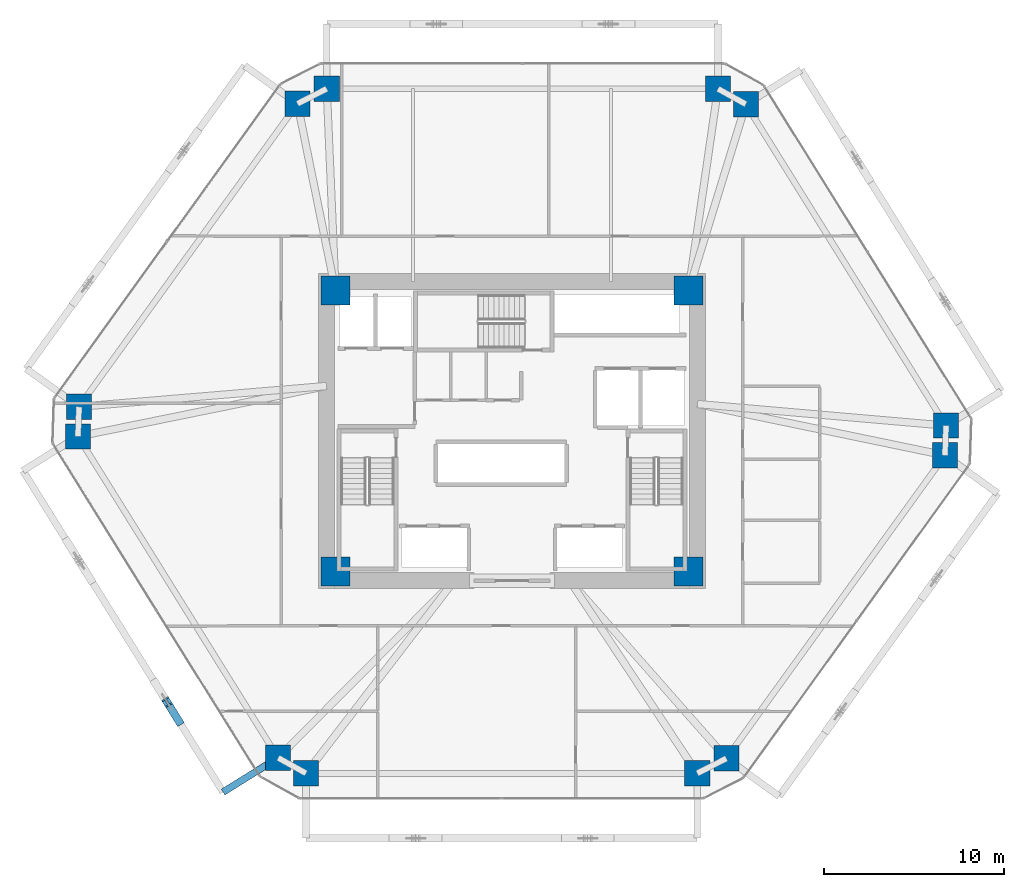
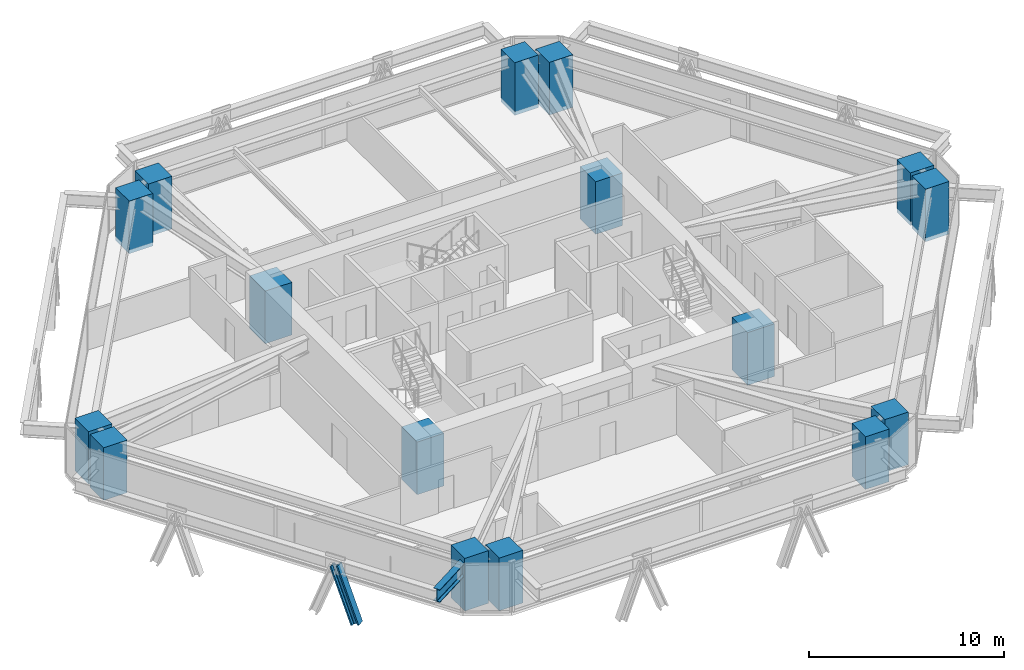
# One storey, part 1 of 17: 16 columns, 1 beam, 1 member.
"""IFC4 building model written with IfcOpenShell, lengths in metres."""

from ifc_helpers import new_model, si_unit, direction, frame, origin, origin_2d, place, context, subcontext, project, spatial, rectangle, i_section, extrude, source, transform, mapped, material, material_profile, profile_set, type_object, type_shapes, element, save


model = new_model("IFC4")

# Units and contexts
model_context = context("Model", 3, precision=1e-05, world=origin(), true_north=direction((0.0, 1.0)))
body_context = subcontext(model_context, "Body", "Model", "MODEL_VIEW")
ifc_project = project(units=[si_unit("LENGTHUNIT", "METRE"), si_unit("AREAUNIT", "SQUARE_METRE"), si_unit("VOLUMEUNIT", "CUBIC_METRE"), si_unit("PLANEANGLEUNIT", "RADIAN"), si_unit("MASSUNIT", "GRAM", prefix="KILO")], contexts=[model_context])

# Site, building, storey
site_placement = place(None, origin())
site = spatial("IfcSite", under=ifc_project, at=site_placement, CompositionType="ELEMENT")
building_placement = place(site_placement, origin())
building = spatial("IfcBuilding", under=site, at=building_placement, Name="Durnholm Broadcast Tower", CompositionType="ELEMENT")
storey_placement = place(building_placement, frame((0.0, 0.0, 52.199951171875)))
storey = spatial("IfcBuildingStorey", under=building, at=storey_placement, Name="L12", CompositionType="ELEMENT", Elevation=52.199951171875)

# Columns
ifc_material_1 = material(Name="Concrete C70/85", Category="concrete")
ifc_material_profile_1 = material_profile(ifc_material_1, rectangle(XDim=1.60009765625, YDim=1.60009765625, at=origin_2d()), Name="RC1600X1600")
ifc_profile_set_1 = profile_set([ifc_material_profile_1], Name="Concrete C70/85")
column_type_1 = type_object("IfcColumnType", Name="COL-CC-1600", PredefinedType="COLUMN", material=ifc_profile_set_1)
shared_shape_1 = source(origin(), body_context, "Body", "SweptSolid", [
    extrude(rectangle(XDim=1.60009765625, YDim=1.60009765625, at=origin_2d()), origin(), (0.0, 0.0, 1.0), 3.300048828125),
])
type_shapes(column_type_1, [shared_shape_1])
for number, where, z_axis, x_axis, name in (
    (1, (-9.800048828125, -7.800048828125, -0.239990234375), (0.0, 0.0, 1.0), (1.0, 0.0, 0.0), "L12 core corner column 1"),
    (2, (9.800048828125, -7.800048828125, -0.239990234375), (0.0, 0.0, 1.0), (1.0, 0.0, 0.0), "L12 core corner column 2"),
    (3, (9.800048828125, 7.800048828125, -0.239990234375), (0.0, 0.0, 1.0), (1.0, 0.0, 0.0), "L12 core corner column 3"),
    (4, (-9.800048828125, 7.800048828125, -0.239990234375), (0.0, 0.0, 1.0), (1.0, 0.0, 0.0), "L12 core corner column 4"),
):
    element("IfcColumn", number, at=place(storey_placement, frame(where, z_axis=z_axis, x_axis=x_axis)), inside=storey, type_object=column_type_1, Name=name, PredefinedType="COLUMN", context=body_context, shape_type="MappedRepresentation", body=[
        mapped(shared_shape_1, transform((0.0, 0.0, 0.0), x_axis=(1.0, 0.0, 0.0), y_axis=(0.0, 1.0, 0.0), z_axis=(0.0, 0.0, 1.0), scale=1.0)),
    ])
ifc_material_profile_2 = material_profile(ifc_material_1, rectangle(XDim=1.39990234375, YDim=1.39990234375, at=origin_2d()), Name="RC1400X1400")
ifc_profile_set_2 = profile_set([ifc_material_profile_2], Name="Concrete C70/85")
column_type_2 = type_object("IfcColumnType", Name="COL-CC-1400", PredefinedType="COLUMN", material=ifc_profile_set_2)
shared_shape_2 = source(origin(), body_context, "Body", "SweptSolid", [
    extrude(rectangle(XDim=1.39990234375, YDim=1.39990234375, at=origin_2d()), origin(), (0.0, 0.0, 1.0), 3.300048828125),
])
type_shapes(column_type_2, [shared_shape_2])
for number, where, z_axis, x_axis, name in (
    (5, (-12.982666015625, -18.138427734375, -0.239990234375), (0.0, 0.0, 1.0), (1.0, 0.0, 0.0), "L12 perimeter hexagonal tube column 01"),
    (6, (-24.0908203125, -0.2998046875, -0.239990234375), (0.0, 0.0, 1.0), (1.0, 0.0, 0.0), "L12 perimeter hexagonal tube column 02"),
    (7, (-24.034912109375, 1.347412109375, -0.239990234375), (0.0, 0.0, 1.0), (1.0, 0.0, 0.0), "L12 perimeter hexagonal tube column 03"),
    (8, (-11.907470703125, 18.16845703125, -0.239990234375), (0.0, 0.0, 1.0), (1.0, 0.0, 0.0), "L12 perimeter hexagonal tube column 04"),
    (9, (-10.28271484375, 19.0, -0.239990234375), (0.0, 0.0, 1.0), (1.0, 0.0, 0.0), "L12 perimeter hexagonal tube column 05"),
    (10, (11.43115234375, 19.0, -0.239990234375), (0.0, 0.0, 1.0), (1.0, 0.0, 0.0), "L12 perimeter hexagonal tube column 06"),
    (11, (12.982666015625, 18.138427734375, -0.239990234375), (0.0, 0.0, 1.0), (1.0, 0.0, 0.0), "L12 perimeter hexagonal tube column 07"),
    (12, (24.0908203125, 0.2998046875, -0.239990234375), (0.0, 0.0, 1.0), (1.0, 0.0, 0.0), "L12 perimeter hexagonal tube column 08"),
    (13, (24.034912109375, -1.347412109375, -0.239990234375), (0.0, 0.0, 1.0), (1.0, 0.0, 0.0), "L12 perimeter hexagonal tube column 09"),
    (14, (11.907470703125, -18.16845703125, -0.239990234375), (0.0, 0.0, 1.0), (1.0, 0.0, 0.0), "L12 perimeter hexagonal tube column 10"),
    (15, (10.28271484375, -19.0, -0.239990234375), (0.0, 0.0, 1.0), (1.0, 0.0, 0.0), "L12 perimeter hexagonal tube column 11"),
    (16, (-11.43115234375, -19.0, -0.239990234375), (0.0, 0.0, 1.0), (1.0, 0.0, 0.0), "L12 perimeter hexagonal tube column 12"),
):
    element("IfcColumn", number, at=place(storey_placement, frame(where, z_axis=z_axis, x_axis=x_axis)), inside=storey, type_object=column_type_2, Name=name, PredefinedType="COLUMN", context=body_context, shape_type="MappedRepresentation", body=[
        mapped(shared_shape_2, transform((0.0, 0.0, 0.0), x_axis=(1.0, 0.0, 0.0), y_axis=(0.0, 1.0, 0.0), z_axis=(0.0, 0.0, 1.0), scale=1.0)),
    ])

# Beam
ifc_material_2 = material(Name="Steel ASTM A992 Grade 50", Category="steel")
ifc_material_profile_3 = material_profile(ifc_material_2, i_section(OverallWidth=0.385009765625, OverallDepth=0.802978515625, WebThickness=0.023681640625, FlangeThickness=0.0419921875, FilletRadius=0.032958984375, at=origin_2d()), Name="W30X261")
ifc_profile_set_3 = profile_set([ifc_material_profile_3], Name="Steel ASTM A992 Grade 50")
beam_type = type_object("IfcBeamType", Name="BM-EXO-TIE", PredefinedType="USERDEFINED", material=ifc_profile_set_3)
shared_shape_3 = source(origin(), body_context, "Body", "SweptSolid", [
    extrude(i_section(OverallWidth=0.385009765625, OverallDepth=0.802978515625, WebThickness=0.023681640625, FlangeThickness=0.0419921875, FilletRadius=0.032958984375, at=origin_2d()), origin(), (0.0, 0.0, 1.0), 3.4560546875),
])
type_shapes(beam_type, [shared_shape_3])
beam_placement = place(storey_placement, frame((-13.10498046875, -18.214599609375, 2.30859375), z_axis=(-0.848854443891, -0.528626648105, 0.0), x_axis=(0.528626648105, -0.848854443891, 0.0)))
element("IfcBeam", 17, at=beam_placement, inside=storey, type_object=beam_type, Name="L12 exoskeleton stand-off tie bracket F6.2", ObjectType="GIRDER", PredefinedType="USERDEFINED", context=body_context, shape_type="MappedRepresentation", body=[
    mapped(shared_shape_3, transform((0.0, 0.0, 0.0), x_axis=(1.0, 0.0, 0.0), y_axis=(0.0, 1.0, 0.0), z_axis=(0.0, 0.0, 1.0), scale=1.0)),
])

# Member
ifc_material_3 = material(Name="Steel ASTM A913 Grade 65", Category="steel")
ifc_material_profile_4 = material_profile(ifc_material_3, i_section(OverallWidth=0.43212890625, OverallDepth=0.497802734375, WebThickness=0.0556640625, FlangeThickness=0.0888671875, FilletRadius=0.030517578125, at=origin_2d()), Name="W14X500")
ifc_profile_set_4 = profile_set([ifc_material_profile_4], Name="Steel ASTM A913 Grade 65")
member_type = type_object("IfcMemberType", Name="STL-DG-W14X500", PredefinedType="BRACE", material=ifc_profile_set_4)
shared_shape_4 = source(origin(), body_context, "Body", "SweptSolid", [
    extrude(i_section(OverallWidth=0.43212890625, OverallDepth=0.497802734375, WebThickness=0.0556640625, FlangeThickness=0.0888671875, FilletRadius=0.030517578125, at=origin_2d()), origin(), (0.0, 0.0, 1.0), 3.523193359375),
])
type_shapes(member_type, [shared_shape_4])
member_placement = place(storey_placement, frame((-18.496826171875, -16.09375, -0.991455078125), z_axis=(-0.185090383068, 0.297281072018, 0.936677913861), x_axis=(-0.848908635391, -0.528539618911, 0.0)))
element("IfcMember", 18, at=member_placement, inside=storey, type_object=member_type, Name="L12 stand-off diagrid brace F6.D2.2", PredefinedType="BRACE", context=body_context, shape_type="MappedRepresentation", body=[
    mapped(shared_shape_4, transform((0.0, 0.0, 0.0), x_axis=(1.0, 0.0, 0.0), y_axis=(0.0, 1.0, 0.0), z_axis=(0.0, 0.0, 1.0), scale=1.0)),
])

save(model, "model.ifc")
